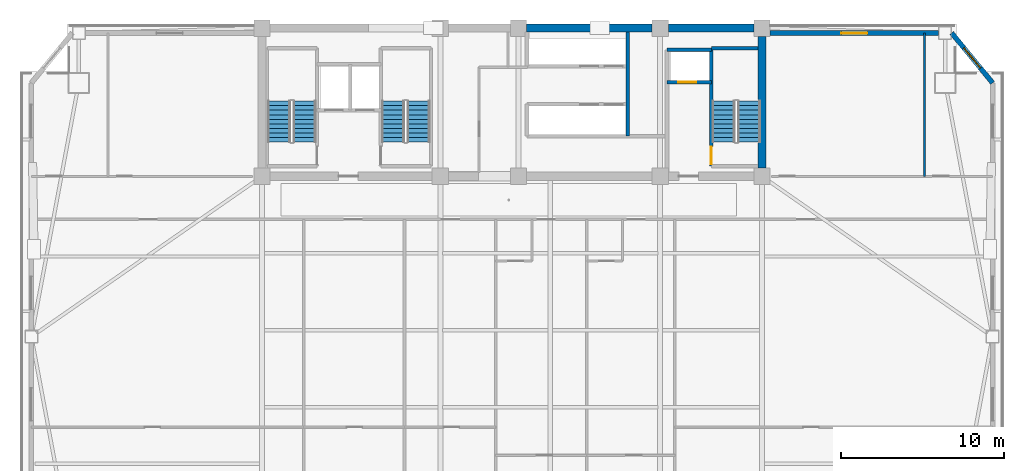
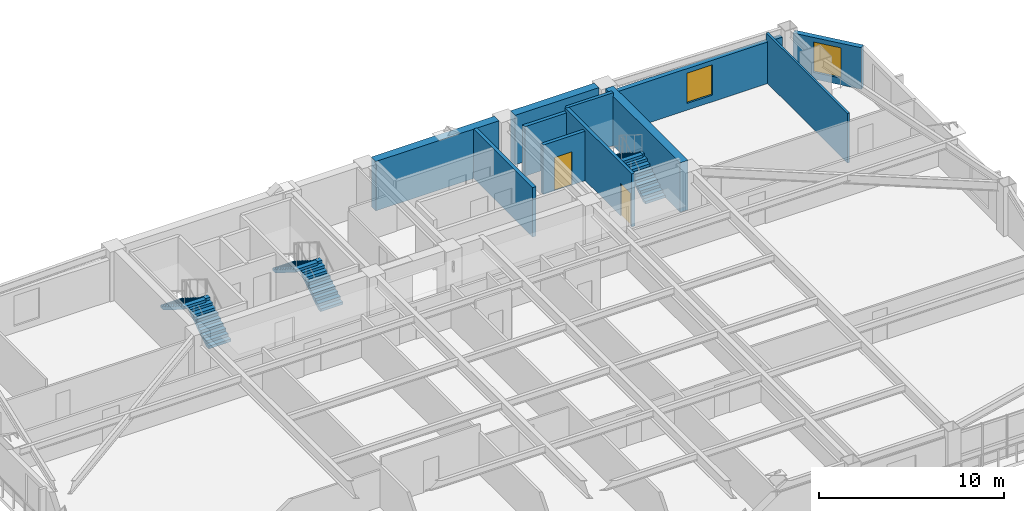
# One storey, part 10 of 16: 11 walls, 6 stair flights, 2 doors, 2 windows, 4 openings, 3 elements without a shape of their own.
"""IFC4 building model written with IfcOpenShell, lengths in metres."""

from ifc_helpers import new_model, si_unit, direction, frame, frame_2d, origin, place, context, subcontext, project, spatial, polyline, rectangle, outline, extrude, source, transform, mapped, material, layer, layer_set, type_object, element, fill, aggregate, save


model = new_model("IFC4")

# Units and contexts
model_context = context("Model", 3, precision=1e-05, world=origin(), true_north=direction((0.0, 1.0)))
body_context = subcontext(model_context, "Body", "Model", "MODEL_VIEW")
ifc_project = project(units=[si_unit("LENGTHUNIT", "METRE"), si_unit("AREAUNIT", "SQUARE_METRE"), si_unit("VOLUMEUNIT", "CUBIC_METRE"), si_unit("PLANEANGLEUNIT", "RADIAN"), si_unit("MASSUNIT", "GRAM", prefix="KILO")], contexts=[model_context])

# Site, building, storey
site_placement = place(None, origin())
site = spatial("IfcSite", under=ifc_project, at=site_placement, CompositionType="ELEMENT")
building_placement = place(site_placement, origin())
building = spatial("IfcBuilding", under=site, at=building_placement, Name="Giltprow Tower", CompositionType="ELEMENT")
storey_placement = place(building_placement, frame((0.0, 0.0, 163.199951171875)))
storey = spatial("IfcBuildingStorey", under=building, at=storey_placement, Name="L40", CompositionType="ELEMENT", Elevation=163.199951171875)

# Wall, opening, window
ifc_material_1 = material(Name="Precast concrete C40", Category="concrete")
ifc_layer_1 = layer(ifc_material_1, 0.300048828125, Name="Precast concrete C40")
ifc_layer_set_1 = layer_set([ifc_layer_1], Name="Precast concrete C40")
wall_type_1 = type_object("IfcWallType", Name="EW-NOTCH-CHAMFER-300", PredefinedType="SOLIDWALL", material=ifc_layer_set_1)
wall_1_placement = place(storey_placement, frame((64.716064453125, 43.18701171875, 0.0), z_axis=(0.0, 0.0, 1.0), x_axis=(-0.634310946058, 0.773078019161, 0.0)))
wall_1 = element("IfcWall", 1, at=wall_1_placement, inside=storey, type_object=wall_type_1, Name="L40 Corner Notch Wall NE", PredefinedType="SOLIDWALL", context=body_context, shape_type="SweptSolid", body=[
    extrude(rectangle(XDim=3.962158203125, YDim=0.300048828125, at=frame_2d((1.98095703125, 0.0))), origin(), (0.0, 0.0, 1.0), 2.75),
])
opening_1_placement = place(wall_1_placement, frame((1.180908203125, 0.0, 0.449951171875)))
opening_1 = element("IfcOpeningElement", 2, at=opening_1_placement, cuts=wall_1, Name="Opening WN17", PredefinedType="OPENING", context=body_context, shape_type="SweptSolid", body=[
    extrude(rectangle(XDim=1.60009765625, YDim=2.0, at=frame_2d((0.800048828125, 1.0))), frame((0.0, 0.159912109375, 0.0), z_axis=(0.0, -1.0, 0.0), x_axis=(1.0, 0.0, 0.0)), (0.0, 0.0, 1.0), 0.320068359375),
])
ifc_material_2 = material(Name="Insulated glass", Category="glass")
window_type = type_object("IfcWindowType", Name="WN-COR-1600x2000", PartitioningType="SINGLE_PANEL", PredefinedType="WINDOW", material=ifc_material_2)
shared_shape_1 = source(origin(), body_context, "Body", "SweptSolid", [
    extrude(rectangle(XDim=1.60009765625, YDim=2.0, at=frame_2d((0.800048828125, 1.0))), frame((0.0, 0.030029296875, 0.0), z_axis=(0.0, -1.0, 0.0), x_axis=(1.0, 0.0, 0.0)), (0.0, 0.0, 1.0), 0.06005859375),
])
window_1_placement = place(opening_1_placement, origin())
window_1 = element("IfcWindow", 3, at=window_1_placement, inside=storey, type_object=window_type, Name="L40 Corner Notch Window NE", OverallHeight=2.0, OverallWidth=1.60009765625, PartitioningType="SINGLE_PANEL", PredefinedType="WINDOW", context=body_context, shape_type="MappedRepresentation", body=[
    mapped(shared_shape_1, transform((0.0, 0.0, 0.0), x_axis=(1.0, 0.0, 0.0), y_axis=(0.0, 1.0, 0.0), z_axis=(0.0, 0.0, 1.0), scale=1.0)),
])
fill(opening_1, window_1)

ifc_layer_2 = layer(ifc_material_1, 0.280029296875, Name="Precast concrete C40")
ifc_layer_set_2 = layer_set([ifc_layer_2], Name="Precast concrete C40")
wall_type_2 = type_object("IfcWallType", Name="EW-TOW-BRONZE-280", PredefinedType="SOLIDWALL", material=ifc_layer_set_2)
wall_2_placement = place(storey_placement, frame((51.050048828125, 46.25, 0.0), z_axis=(0.0, 0.0, 1.0), x_axis=(1.0, 0.0, 0.0)))
wall_2 = element("IfcWall", 4, at=wall_2_placement, inside=storey, type_object=wall_type_2, Name="L40 North-East Wing Wall", PredefinedType="SOLIDWALL", context=body_context, shape_type="SweptSolid", body=[
    extrude(rectangle(XDim=10.35302734375, YDim=0.280029296875, at=frame_2d((5.176513671875, 0.0))), origin(), (0.0, 0.0, 1.0), 2.75),
])
opening_2_placement = place(wall_2_placement, frame((4.376953125, 0.0, 0.449951171875)))
opening_2 = element("IfcOpeningElement", 5, at=opening_2_placement, cuts=wall_2, Name="Opening WN17", PredefinedType="OPENING", context=body_context, shape_type="SweptSolid", body=[
    extrude(rectangle(XDim=1.60009765625, YDim=2.0, at=frame_2d((0.800048828125, 1.0))), frame((0.0, 0.14990234375, 0.0), z_axis=(0.0, -1.0, 0.0), x_axis=(1.0, 0.0, 0.0)), (0.0, 0.0, 1.0), 0.300048828125),
])
window_2_placement = place(opening_2_placement, origin())
window_2 = element("IfcWindow", 6, at=window_2_placement, inside=storey, type_object=window_type, Name="L40 North-East Window", OverallHeight=2.0, OverallWidth=1.60009765625, PartitioningType="SINGLE_PANEL", PredefinedType="WINDOW", context=body_context, shape_type="MappedRepresentation", body=[
    mapped(shared_shape_1, transform((0.0, 0.0, 0.0), x_axis=(1.0, 0.0, 0.0), y_axis=(0.0, 1.0, 0.0), z_axis=(0.0, 0.0, 1.0), scale=1.0)),
])
fill(opening_2, window_2)

# Wall, opening, door
ifc_material_3 = material(Name="Concrete C40", Category="concrete")
ifc_layer_3 = layer(ifc_material_3, 0.219970703125, Name="Concrete C40")
ifc_layer_set_3 = layer_set([ifc_layer_3], Name="Concrete C40")
wall_type_3 = type_object("IfcWallType", Name="IW-SHAFT-220", PredefinedType="SOLIDWALL", material=ifc_layer_set_3)
wall_3_placement = place(storey_placement, frame((44.719970703125, 43.219970703125, 0.0), z_axis=(0.0, 0.0, 1.0), x_axis=(1.0, 0.0, 0.0)))
wall_3 = element("IfcWall", 7, at=wall_3_placement, inside=storey, type_object=wall_type_3, Name="L40 FFL2 Front Shaft Wall", PredefinedType="SOLIDWALL", context=body_context, shape_type="SweptSolid", body=[
    extrude(rectangle(XDim=2.719970703125, YDim=0.219970703125, at=frame_2d((1.35986328125, 0.0))), origin(), (0.0, 0.0, 1.0), 3.27001953125),
])
opening_3_placement = place(wall_3_placement, frame((0.699951171875, 0.0, 0.0)))
opening_3 = element("IfcOpeningElement", 8, at=opening_3_placement, cuts=wall_3, Name="Opening LD-11", PredefinedType="OPENING", context=body_context, shape_type="SweptSolid", body=[
    extrude(rectangle(XDim=1.10009765625, YDim=2.199951171875, at=frame_2d((0.550048828125, 1.10009765625))), frame((0.0, 0.119873046875, 0.0), z_axis=(0.0, -1.0, 0.0), x_axis=(1.0, 0.0, 0.0)), (0.0, 0.0, 1.0), 0.239990234375),
])
ifc_material_4 = material(Name="Stainless steel", Category="steel")
door_type_1 = type_object("IfcDoorType", Name="DR-LIFT-LD1100", OperationType="SLIDING_TO_LEFT", PredefinedType="DOOR", material=ifc_material_4)
shared_shape_2 = source(origin(), body_context, "Body", "SweptSolid", [
    extrude(rectangle(XDim=1.10009765625, YDim=2.199951171875, at=frame_2d((0.550048828125, 1.10009765625))), frame((0.0, 0.02490234375, 0.0), z_axis=(0.0, -1.0, 0.0), x_axis=(1.0, 0.0, 0.0)), (0.0, 0.0, 1.0), 0.050048828125),
])
door_1_placement = place(opening_3_placement, origin())
door_1 = element("IfcDoor", 9, at=door_1_placement, inside=storey, type_object=door_type_1, Name="L40 FFL2 Landing Door", OperationType="SLIDING_TO_LEFT", OverallHeight=2.199951171875, OverallWidth=1.10009765625, PredefinedType="DOOR", context=body_context, shape_type="MappedRepresentation", body=[
    mapped(shared_shape_2, transform((0.0, 0.0, 0.0), x_axis=(1.0, 0.0, 0.0), y_axis=(0.0, 1.0, 0.0), z_axis=(0.0, 0.0, 1.0), scale=1.0)),
])
fill(opening_3, door_1)

# Walls
wall_4_placement = place(storey_placement, frame((44.719970703125, 45.219970703125, 0.0), z_axis=(0.0, 0.0, 1.0), x_axis=(1.0, 0.0, 0.0)))
element("IfcWall", 10, at=wall_4_placement, inside=storey, type_object=wall_type_3, Name="L40 FFL2 Back Shaft Wall", PredefinedType="SOLIDWALL", context=body_context, shape_type="SweptSolid", body=[
    extrude(rectangle(XDim=2.719970703125, YDim=0.219970703125, at=frame_2d((1.35986328125, 0.0))), origin(), (0.0, 0.0, 1.0), 3.27001953125),
])
wall_5_placement = place(storey_placement, frame((42.320068359375, 39.919921875, 0.0), z_axis=(0.0, 0.0, 1.0), x_axis=(0.0, 1.0, 0.0)))
element("IfcWall", 11, at=wall_5_placement, inside=storey, type_object=wall_type_3, Name="L40 Mid-Rise Lift Bank East Closure", PredefinedType="SOLIDWALL", context=body_context, shape_type="SweptSolid", body=[
    extrude(rectangle(XDim=6.400146484375, YDim=0.219970703125, at=frame_2d((3.2001953125, 0.0))), origin(), (0.0, 0.0, 1.0), 3.27001953125),
])

# Wall, opening, door
ifc_layer_4 = layer(ifc_material_3, 0.199951171875, Name="Concrete C40")
ifc_layer_set_4 = layer_set([ifc_layer_4], Name="Concrete C40")
wall_type_4 = type_object("IfcWallType", Name="IW-STAIR-200", PredefinedType="SOLIDWALL", material=ifc_layer_set_4)
wall_6_placement = place(storey_placement, frame((47.43994140625, 38.070068359375, 0.0), z_axis=(0.0, 0.0, 1.0), x_axis=(0.0, 1.0, 0.0)))
wall_6 = element("IfcWall", 12, at=wall_6_placement, inside=storey, type_object=wall_type_4, Name="L40 Stair ST-3 West Bearing Wall", PredefinedType="SOLIDWALL", context=body_context, shape_type="SweptSolid", body=[
    extrude(rectangle(XDim=7.25, YDim=0.199951171875, at=frame_2d((3.625, 0.0))), origin(), (0.0, 0.0, 1.0), 3.5),
])
opening_4_placement = place(wall_6_placement, frame((0.110107421875, 0.0, 0.0)))
opening_4 = element("IfcOpeningElement", 13, at=opening_4_placement, cuts=wall_6, Name="Opening ID33", PredefinedType="OPENING", context=body_context, shape_type="SweptSolid", body=[
    extrude(rectangle(XDim=1.10009765625, YDim=2.14990234375, at=frame_2d((0.550048828125, 1.074951171875))), frame((0.0, 0.10986328125, 0.0), z_axis=(0.0, -1.0, 0.0), x_axis=(1.0, 0.0, 0.0)), (0.0, 0.0, 1.0), 0.219970703125),
])
ifc_material_5 = material(Name="Steel fire leaf", Category="steel")
door_type_2 = type_object("IfcDoorType", Name="DR-STAIR-1100", OperationType="SINGLE_SWING_LEFT", PredefinedType="DOOR", material=ifc_material_5)
shared_shape_3 = source(origin(), body_context, "Body", "SweptSolid", [
    extrude(rectangle(XDim=1.10009765625, YDim=2.14990234375, at=frame_2d((0.550048828125, 1.074951171875))), frame((0.0, 0.02490234375, 0.0), z_axis=(0.0, -1.0, 0.0), x_axis=(1.0, 0.0, 0.0)), (0.0, 0.0, 1.0), 0.050048828125),
])
door_2_placement = place(opening_4_placement, origin())
door_2 = element("IfcDoor", 14, at=door_2_placement, inside=storey, type_object=door_type_2, Name="L40 Stair ST-3 Fire Door", OperationType="SINGLE_SWING_RIGHT", OverallHeight=2.14990234375, OverallWidth=1.10009765625, PredefinedType="DOOR", context=body_context, shape_type="MappedRepresentation", body=[
    mapped(shared_shape_3, transform((0.0, 0.0, 0.0), x_axis=(1.0, 0.0, 0.0), y_axis=(0.0, 1.0, 0.0), z_axis=(0.0, 0.0, 1.0), scale=1.0)),
])
fill(opening_4, door_2)

# Walls
wall_7_placement = place(storey_placement, frame((47.43994140625, 45.320068359375, 0.0), z_axis=(0.0, 0.0, 1.0), x_axis=(1.0, 0.0, 0.0)))
element("IfcWall", 15, at=wall_7_placement, inside=storey, type_object=wall_type_4, Name="L40 Stair ST-3 North Bearing Wall", PredefinedType="SOLIDWALL", context=body_context, shape_type="SweptSolid", body=[
    extrude(rectangle(XDim=2.880126953125, YDim=0.199951171875, at=frame_2d((1.43994140625, 0.0))), origin(), (0.0, 0.0, 1.0), 3.5),
])
ifc_material_6 = material(Name="Concrete C30", Category="concrete")
ifc_layer_5 = layer(ifc_material_6, 0.1298828125, Name="Concrete C30")
ifc_layer_set_5 = layer_set([ifc_layer_5], Name="Concrete C30")
wall_type_5 = type_object("IfcWallType", Name="IW-WET-130", PredefinedType="PARTITIONING", material=ifc_layer_set_5)
wall_8_placement = place(storey_placement, frame((60.535888671875, 37.449951171875, 0.0), z_axis=(0.0, 0.0, 1.0), x_axis=(0.0, 1.0, 0.0)))
element("IfcWall", 16, at=wall_8_placement, inside=storey, type_object=wall_type_5, Name="L40 NE Wing Divider", PredefinedType="PARTITIONING", context=body_context, shape_type="SweptSolid", body=[
    extrude(rectangle(XDim=8.800048828125, YDim=0.1298828125, at=frame_2d((4.39990234375, 0.0))), origin(), (0.0, 0.0, 1.0), 3.27001953125),
])
ifc_material_7 = material(Name="Concrete C50", Category="concrete")
ifc_layer_6 = layer(ifc_material_7, 0.5, Name="Concrete C50")
ifc_layer_set_6 = layer_set([ifc_layer_6], Name="Concrete C50")
wall_type_6 = type_object("IfcWallType", Name="SW-EXT-500-C50", PredefinedType="SHEAR", material=ifc_layer_set_6)
wall_9_placement = place(storey_placement, frame((36.10009765625, 46.550048828125, 0.0), z_axis=(0.0, 0.0, 1.0), x_axis=(1.0, 0.0, 0.0)))
element("IfcWall", 17, at=wall_9_placement, inside=storey, type_object=wall_type_6, Name="L40 North Rear Core Shear Wall 3", PredefinedType="SHEAR", context=body_context, shape_type="SweptSolid", body=[
    extrude(rectangle(XDim=7.699951171875, YDim=0.5, at=frame_2d((3.85009765625, 0.0))), origin(), (0.0, 0.0, 1.0), 3.27001953125),
])
wall_10_placement = place(storey_placement, frame((44.800048828125, 46.550048828125, 0.0), z_axis=(0.0, 0.0, 1.0), x_axis=(1.0, 0.0, 0.0)))
element("IfcWall", 18, at=wall_10_placement, inside=storey, type_object=wall_type_6, Name="L40 North Rear Core Shear Wall 4", PredefinedType="SHEAR", context=body_context, shape_type="SweptSolid", body=[
    extrude(rectangle(XDim=5.25, YDim=0.5, at=frame_2d((2.625, 0.0))), origin(), (0.0, 0.0, 1.0), 3.27001953125),
])
ifc_layer_7 = layer(ifc_material_7, 0.5, Name="Concrete C50")
ifc_layer_set_7 = layer_set([ifc_layer_7], Name="Concrete C50")
wall_type_7 = type_object("IfcWallType", Name="SW-INT-500-C50", PredefinedType="SHEAR", material=ifc_layer_set_7)
wall_11_placement = place(storey_placement, frame((50.550048828125, 37.949951171875, 0.0), z_axis=(0.0, 0.0, 1.0), x_axis=(0.0, 1.0, 0.0)))
element("IfcWall", 19, at=wall_11_placement, inside=storey, type_object=wall_type_7, Name="L40 E Rear Core Shear Wall", PredefinedType="SHEAR", context=body_context, shape_type="SweptSolid", body=[
    extrude(rectangle(XDim=8.10009765625, YDim=0.5, at=frame_2d((4.050048828125, 0.0))), origin(), (0.0, 0.0, 1.0), 3.27001953125),
])

# Stair, stair flights
stair_type_1 = type_object("IfcStairType", Name="STR-ST-1", PredefinedType="HALF_TURN_STAIR", material=ifc_material_3)
stair_1_placement = place(storey_placement, origin())
stair_1 = element("IfcStair", 20, at=stair_1_placement, inside=storey, type_object=stair_type_1, Name="L40 Core Exit Stair ST-1", PredefinedType="HALF_TURN_STAIR")
stair_flight_type_1 = type_object("IfcStairFlightType", Name="SFL-ST-1", PredefinedType="STRAIGHT", material=ifc_material_3)
stair_flight_1_placement = place(storey_placement, frame((22.4599609375, 39.550048828125, 0.0), z_axis=(0.0, 0.0, 1.0), x_axis=(0.0, 1.0, 0.0)))
stair_flight_1 = element("IfcStairFlight", 21, at=stair_flight_1_placement, type_object=stair_flight_type_1, Name="ST-1 flight 1", NumberOfRisers=10, NumberOfTreads=9, PredefinedType="STRAIGHT", RiserHeight=0.175, TreadLength=0.28, context=body_context, shape_type="SweptSolid", body=[
    extrude(outline(polyline([(0.0, 0.0), (0.0, 0.175048828125), (0.280029296875, 0.175048828125), (0.280029296875, 0.35009765625), (0.56005859375, 0.35009765625), (0.56005859375, 0.52490234375), (0.840087890625, 0.52490234375), (0.840087890625, 0.699951171875), (1.1201171875, 0.699951171875), (1.1201171875, 0.875), (1.39990234375, 0.875), (1.39990234375, 1.050048828125), (1.679931640625, 1.050048828125), (1.679931640625, 1.22509765625), (1.9599609375, 1.22509765625), (1.9599609375, 1.39990234375), (2.239990234375, 1.39990234375), (2.239990234375, 1.574951171875), (2.52001953125, 1.574951171875), (2.52001953125, 1.75), (2.52001953125, 1.398193359375), (0.28271484375, 0.0), (0.0, 0.0)])), frame((0.0, 0.699951171875, 0.0), z_axis=(0.0, -1.0, 0.0), x_axis=(1.0, 0.0, 0.0)), (0.0, 0.0, 1.0), 1.39990234375),
])
stair_flight_2_placement = place(storey_placement, frame((20.89990234375, 42.070068359375, 1.75), z_axis=(0.0, 0.0, 1.0), x_axis=(0.0, -1.0, 0.0)))
stair_flight_2 = element("IfcStairFlight", 22, at=stair_flight_2_placement, type_object=stair_flight_type_1, Name="ST-1 flight 2", NumberOfRisers=10, NumberOfTreads=9, PredefinedType="STRAIGHT", RiserHeight=0.175, TreadLength=0.28, context=body_context, shape_type="SweptSolid", body=[
    extrude(outline(polyline([(0.0, 0.0), (0.0, 0.175048828125), (0.280029296875, 0.175048828125), (0.280029296875, 0.35009765625), (0.56005859375, 0.35009765625), (0.56005859375, 0.52490234375), (0.840087890625, 0.52490234375), (0.840087890625, 0.699951171875), (1.1201171875, 0.699951171875), (1.1201171875, 0.875), (1.39990234375, 0.875), (1.39990234375, 1.050048828125), (1.679931640625, 1.050048828125), (1.679931640625, 1.22509765625), (1.9599609375, 1.22509765625), (1.9599609375, 1.39990234375), (2.239990234375, 1.39990234375), (2.239990234375, 1.574951171875), (2.52001953125, 1.574951171875), (2.52001953125, 1.75), (2.52001953125, 1.398193359375), (0.28271484375, 0.0), (0.0, 0.0)])), frame((0.0, 0.699951171875, 0.0), z_axis=(0.0, -1.0, 0.0), x_axis=(1.0, 0.0, 0.0)), (0.0, 0.0, 1.0), 1.39990234375),
])
aggregate(stair_1, [stair_flight_1, stair_flight_2])

stair_type_2 = type_object("IfcStairType", Name="STR-ST-2", PredefinedType="HALF_TURN_STAIR", material=ifc_material_3)
stair_2_placement = place(storey_placement, origin())
stair_2 = element("IfcStair", 23, at=stair_2_placement, inside=storey, type_object=stair_type_2, Name="L40 Core Exit Stair ST-2", PredefinedType="HALF_TURN_STAIR")
stair_flight_type_2 = type_object("IfcStairFlightType", Name="SFL-ST-2", PredefinedType="STRAIGHT", material=ifc_material_3)
stair_flight_3_placement = place(storey_placement, frame((29.4599609375, 39.550048828125, 0.0), z_axis=(0.0, 0.0, 1.0), x_axis=(0.0, 1.0, 0.0)))
stair_flight_3 = element("IfcStairFlight", 24, at=stair_flight_3_placement, type_object=stair_flight_type_2, Name="ST-2 flight 1", NumberOfRisers=10, NumberOfTreads=9, PredefinedType="STRAIGHT", RiserHeight=0.175, TreadLength=0.28, context=body_context, shape_type="SweptSolid", body=[
    extrude(outline(polyline([(0.0, 0.0), (0.0, 0.175048828125), (0.280029296875, 0.175048828125), (0.280029296875, 0.35009765625), (0.56005859375, 0.35009765625), (0.56005859375, 0.52490234375), (0.840087890625, 0.52490234375), (0.840087890625, 0.699951171875), (1.1201171875, 0.699951171875), (1.1201171875, 0.875), (1.39990234375, 0.875), (1.39990234375, 1.050048828125), (1.679931640625, 1.050048828125), (1.679931640625, 1.22509765625), (1.9599609375, 1.22509765625), (1.9599609375, 1.39990234375), (2.239990234375, 1.39990234375), (2.239990234375, 1.574951171875), (2.52001953125, 1.574951171875), (2.52001953125, 1.75), (2.52001953125, 1.398193359375), (0.28271484375, 0.0), (0.0, 0.0)])), frame((0.0, 0.699951171875, 0.0), z_axis=(0.0, -1.0, 0.0), x_axis=(1.0, 0.0, 0.0)), (0.0, 0.0, 1.0), 1.39990234375),
])
stair_flight_4_placement = place(storey_placement, frame((27.89990234375, 42.070068359375, 1.75), z_axis=(0.0, 0.0, 1.0), x_axis=(0.0, -1.0, 0.0)))
stair_flight_4 = element("IfcStairFlight", 25, at=stair_flight_4_placement, type_object=stair_flight_type_2, Name="ST-2 flight 2", NumberOfRisers=10, NumberOfTreads=9, PredefinedType="STRAIGHT", RiserHeight=0.175, TreadLength=0.28, context=body_context, shape_type="SweptSolid", body=[
    extrude(outline(polyline([(0.0, 0.0), (0.0, 0.175048828125), (0.280029296875, 0.175048828125), (0.280029296875, 0.35009765625), (0.56005859375, 0.35009765625), (0.56005859375, 0.52490234375), (0.840087890625, 0.52490234375), (0.840087890625, 0.699951171875), (1.1201171875, 0.699951171875), (1.1201171875, 0.875), (1.39990234375, 0.875), (1.39990234375, 1.050048828125), (1.679931640625, 1.050048828125), (1.679931640625, 1.22509765625), (1.9599609375, 1.22509765625), (1.9599609375, 1.39990234375), (2.239990234375, 1.39990234375), (2.239990234375, 1.574951171875), (2.52001953125, 1.574951171875), (2.52001953125, 1.75), (2.52001953125, 1.398193359375), (0.28271484375, 0.0), (0.0, 0.0)])), frame((0.0, 0.699951171875, 0.0), z_axis=(0.0, -1.0, 0.0), x_axis=(1.0, 0.0, 0.0)), (0.0, 0.0, 1.0), 1.39990234375),
])
aggregate(stair_2, [stair_flight_3, stair_flight_4])

stair_type_3 = type_object("IfcStairType", Name="STR-ST-3", PredefinedType="HALF_TURN_STAIR", material=ifc_material_3)
stair_3_placement = place(storey_placement, origin())
stair_3 = element("IfcStair", 26, at=stair_3_placement, inside=storey, type_object=stair_type_3, Name="L40 Core Exit Stair ST-3", PredefinedType="HALF_TURN_STAIR")
stair_flight_type_3 = type_object("IfcStairFlightType", Name="SFL-ST-3", PredefinedType="STRAIGHT", material=ifc_material_3)
stair_flight_5_placement = place(storey_placement, frame((49.760009765625, 39.550048828125, 0.0), z_axis=(0.0, 0.0, 1.0), x_axis=(0.0, 1.0, 0.0)))
stair_flight_5 = element("IfcStairFlight", 27, at=stair_flight_5_placement, type_object=stair_flight_type_3, Name="ST-3 flight 1", NumberOfRisers=10, NumberOfTreads=9, PredefinedType="STRAIGHT", RiserHeight=0.175, TreadLength=0.28, context=body_context, shape_type="SweptSolid", body=[
    extrude(outline(polyline([(0.0, 0.0), (0.0, 0.175048828125), (0.280029296875, 0.175048828125), (0.280029296875, 0.35009765625), (0.56005859375, 0.35009765625), (0.56005859375, 0.52490234375), (0.840087890625, 0.52490234375), (0.840087890625, 0.699951171875), (1.1201171875, 0.699951171875), (1.1201171875, 0.875), (1.39990234375, 0.875), (1.39990234375, 1.050048828125), (1.679931640625, 1.050048828125), (1.679931640625, 1.22509765625), (1.9599609375, 1.22509765625), (1.9599609375, 1.39990234375), (2.239990234375, 1.39990234375), (2.239990234375, 1.574951171875), (2.52001953125, 1.574951171875), (2.52001953125, 1.75), (2.52001953125, 1.398193359375), (0.28271484375, 0.0), (0.0, 0.0)])), frame((0.0, 0.699951171875, 0.0), z_axis=(0.0, -1.0, 0.0), x_axis=(1.0, 0.0, 0.0)), (0.0, 0.0, 1.0), 1.39990234375),
])
stair_flight_6_placement = place(storey_placement, frame((48.199951171875, 42.070068359375, 1.75), z_axis=(0.0, 0.0, 1.0), x_axis=(0.0, -1.0, 0.0)))
stair_flight_6 = element("IfcStairFlight", 28, at=stair_flight_6_placement, type_object=stair_flight_type_3, Name="ST-3 flight 2", NumberOfRisers=10, NumberOfTreads=9, PredefinedType="STRAIGHT", RiserHeight=0.175, TreadLength=0.28, context=body_context, shape_type="SweptSolid", body=[
    extrude(outline(polyline([(0.0, 0.0), (0.0, 0.175048828125), (0.280029296875, 0.175048828125), (0.280029296875, 0.35009765625), (0.56005859375, 0.35009765625), (0.56005859375, 0.52490234375), (0.840087890625, 0.52490234375), (0.840087890625, 0.699951171875), (1.1201171875, 0.699951171875), (1.1201171875, 0.875), (1.39990234375, 0.875), (1.39990234375, 1.050048828125), (1.679931640625, 1.050048828125), (1.679931640625, 1.22509765625), (1.9599609375, 1.22509765625), (1.9599609375, 1.39990234375), (2.239990234375, 1.39990234375), (2.239990234375, 1.574951171875), (2.52001953125, 1.574951171875), (2.52001953125, 1.75), (2.52001953125, 1.398193359375), (0.28271484375, 0.0), (0.0, 0.0)])), frame((0.0, 0.699951171875, 0.0), z_axis=(0.0, -1.0, 0.0), x_axis=(1.0, 0.0, 0.0)), (0.0, 0.0, 1.0), 1.39990234375),
])
aggregate(stair_3, [stair_flight_5, stair_flight_6])

save(model, "model.ifc")
